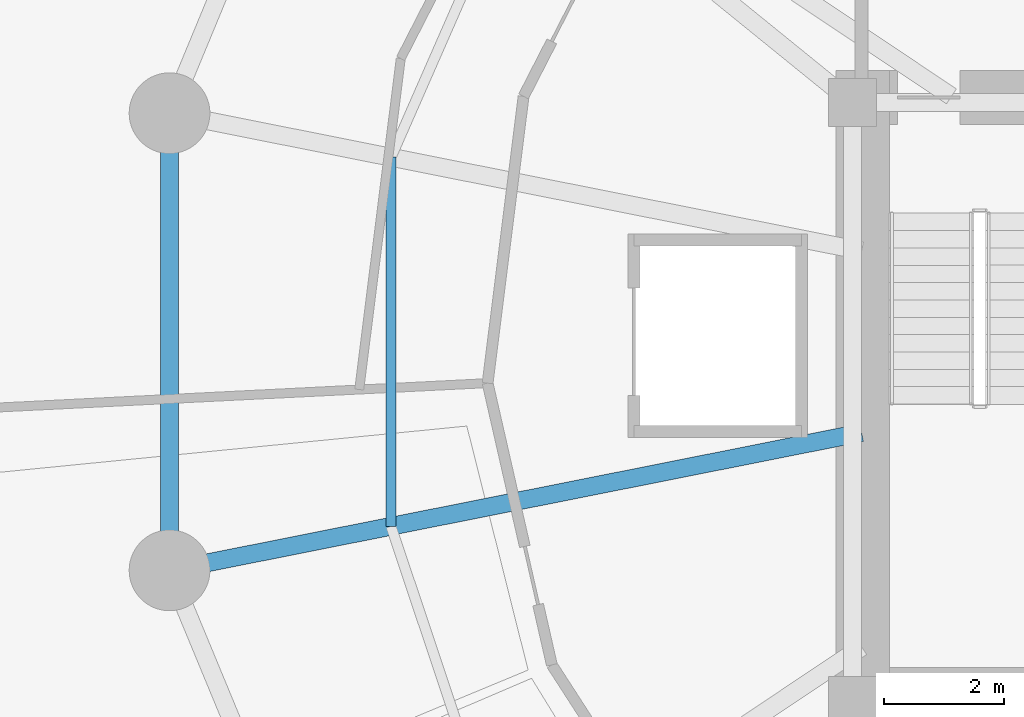
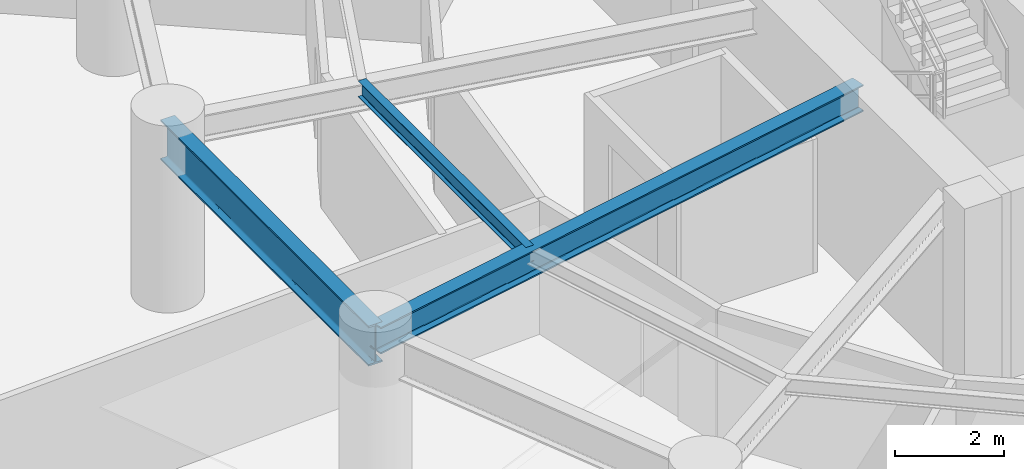
# One storey, part 5 of 16: 3 beams.
"""IFC4 building model written with IfcOpenShell, lengths in metres."""

import ifcopenshell
import ifcopenshell.guid

model = None  # the IFC model being written
_history = None  # IfcOwnerHistory: only IFC2X3 demands one
_inside = {}  # id of a spatial element -> (the spatial element, [elements in it])
_under = {}  # id of a project, library or spatial element -> (it, [spatial elements below it])
_declared = {}  # id of a project -> (the project, [libraries it declares])
_typed = {}  # id of a type object -> (the type object, [elements of that type])
_made_of = {}  # id of a material, layer set ... -> (it, [elements and type objects made of it])


def new_model(schema):
    """Start an empty IFC model of exactly this schema.

    Asked for "IFC4X3", IfcOpenShell would pick the latest addendum, in which some entities
    have other attributes; the version numbers below select the first issue.
    IFC2X3 requires an IfcOwnerHistory on every rooted entity: one is made here for all.
    """
    global model, _history
    if schema == "IFC4X3":
        model = ifcopenshell.file(schema_version=(4, 3, 0, 0))
    else:
        model = ifcopenshell.file(schema=schema)
    _inside.clear()
    _under.clear()
    _declared.clear()
    _typed.clear()
    _made_of.clear()
    _history = None
    if model.schema == "IFC2X3":
        org = make("IfcOrganization", Name="unknown")
        user = make(
            "IfcPersonAndOrganization",
            ThePerson=make("IfcPerson", FamilyName="unknown"),
            TheOrganization=org,
        )
        app = make(
            "IfcApplication",
            ApplicationDeveloper=org,
            Version="unknown",
            ApplicationFullName="unknown",
            ApplicationIdentifier="unknown",
        )
        _history = make(
            "IfcOwnerHistory",
            OwningUser=user,
            OwningApplication=app,
            ChangeAction="ADDED",
            CreationDate=0,
        )
    return model


def make(cls, **values):
    """One entity of the class cls with the attributes given. An attribute that is None is left unset."""
    return model.create_entity(
        cls, **{name: value for name, value in values.items() if value is not None}
    )


def rooted(cls, **values):
    """An entity with a GlobalId (a new one), such as an element, a storey or a relation."""
    return make(cls, GlobalId=ifcopenshell.guid.new(), OwnerHistory=_history, **values)


def si_unit(unit_type, name, prefix=None):
    """IfcSIUnit, for example si_unit("LENGTHUNIT", "METRE", prefix="MILLI")."""
    return make("IfcSIUnit", UnitType=unit_type, Prefix=prefix, Name=name)


def assignment(units):
    """IfcUnitAssignment: the units of a project."""
    return None if units is None else make("IfcUnitAssignment", Units=units)


def point(xyz):
    """IfcCartesianPoint."""
    return None if xyz is None else make("IfcCartesianPoint", Coordinates=xyz)


def direction(xyz):
    """IfcDirection."""
    return None if xyz is None else make("IfcDirection", DirectionRatios=xyz)


def frame(location, z_axis=None, x_axis=None):
    """IfcAxis2Placement3D, a coordinate frame: its origin and axes. An axis left out is left unset."""
    return make(
        "IfcAxis2Placement3D",
        Location=point(location),
        Axis=direction(z_axis),
        RefDirection=direction(x_axis),
    )


def frame_2d(location, x_axis=None):
    """IfcAxis2Placement2D, a coordinate frame in the plane: its origin and x axis."""
    return make(
        "IfcAxis2Placement2D", Location=point(location), RefDirection=direction(x_axis)
    )


def origin():
    """The frame at (0, 0, 0) with its axes left unset."""
    return frame((0.0, 0.0, 0.0))


def origin_2d():
    """The frame at (0, 0) in the plane with its x axis left unset."""
    return frame_2d((0.0, 0.0))


def place(relative_to, where):
    """IfcLocalPlacement: puts the frame where relative to a parent placement (None: the world)."""
    return make(
        "IfcLocalPlacement", PlacementRelTo=relative_to, RelativePlacement=where
    )


def context(
    kind, dimensions, precision=None, world=None, true_north=None, identifier=None
):
    """IfcGeometricRepresentationContext, for example the 3D "Model" context."""
    return make(
        "IfcGeometricRepresentationContext",
        ContextIdentifier=identifier,
        ContextType=kind,
        CoordinateSpaceDimension=dimensions,
        Precision=precision,
        WorldCoordinateSystem=world,
        TrueNorth=true_north,
    )


def subcontext(parent, identifier, kind, view, scale=None):
    """IfcGeometricRepresentationSubContext, for example "Body" below "Model"."""
    return make(
        "IfcGeometricRepresentationSubContext",
        ContextIdentifier=identifier,
        ContextType=kind,
        ParentContext=parent,
        TargetScale=scale,
        TargetView=view,
    )


def project(units=None, contexts=None):
    """IfcProject with its units and contexts."""
    return rooted(
        "IfcProject",
        Name="project",
        RepresentationContexts=contexts,
        UnitsInContext=assignment(units),
    )


def spatial(cls, under=None, at=None, **own):
    """A site, building, storey or space (cls), placed at a placement, below another one or the project."""
    s = rooted(cls, ObjectPlacement=at, **own)
    if under is not None:
        _under.setdefault(under.id(), (under, []))[1].append(s)
    return s


def profile(cls, at=None, kind="AREA", **sizes):
    """A parametric profile (cls). Its sizes go by their IFC names, for example OverallWidth=200.0."""
    return make(cls, ProfileType=kind, Position=at, **sizes)


def i_section(**sizes):
    """IfcIShapeProfileDef."""
    return profile("IfcIShapeProfileDef", **sizes)


def extrude(swept, where, along, depth):
    """IfcExtrudedAreaSolid: the profile swept, set in the frame where, extruded along a direction by depth."""
    return make(
        "IfcExtrudedAreaSolid",
        SweptArea=swept,
        Position=where,
        ExtrudedDirection=direction(along),
        Depth=depth,
    )


def shape(context_of_items, identifier, shape_type, items):
    """IfcShapeRepresentation: the items that make up one representation, for example the "Body"."""
    return make(
        "IfcShapeRepresentation",
        ContextOfItems=context_of_items,
        RepresentationIdentifier=identifier,
        RepresentationType=shape_type,
        Items=items,
    )


def material(Name=None, Category=None):
    """IfcMaterial."""
    return make("IfcMaterial", Name=Name, Category=Category)


def material_profile(
    of_material, cross_section, Name=None, Category=None, Priority=None
):
    """IfcMaterialProfile: a cross section and its material."""
    return make(
        "IfcMaterialProfile",
        Name=Name,
        Material=of_material,
        Profile=cross_section,
        Priority=Priority,
        Category=Category,
    )


def profile_set(profiles, Name=None, composite=None):
    """IfcMaterialProfileSet."""
    return make(
        "IfcMaterialProfileSet",
        Name=Name,
        MaterialProfiles=profiles,
        CompositeProfile=composite,
    )


def made_of(thing, what):
    """Note that an element or type object is made of a material, layer set ...; save() writes the relation."""
    if what is not None:
        _made_of.setdefault(what.id(), (what, []))[1].append(thing)
    return thing


def type_object(cls, material=None, **own):
    """A type object (cls), such as IfcWallType, which elements share."""
    return made_of(rooted(cls, **own), material)


def element(
    cls,
    number,
    at=None,
    inside=None,
    cuts=None,
    type_object=None,
    material=None,
    context=None,
    identifier="Body",
    shape_type=None,
    held_by="IfcProductDefinitionShape",
    body=None,
    shapes=None,
    **own,
):
    """One element of the class cls, such as IfcWall. Its Tag is "e" and its number.

    at: its placement. inside: the storey or other place that contains it. cuts: it is an
    opening in that element (IfcRelVoidsElement). A single representation is given by context,
    identifier, shape_type and body (its items); several are given by shapes. held_by: the class
    of the entity that holds the representations. save() writes the other relations.
    """
    e = rooted(cls, Tag="e%d" % number, ObjectPlacement=at, **own)
    if body is not None:
        shapes = [shape(context, identifier, shape_type, body)]
    if shapes is not None:
        e.Representation = make(held_by, Representations=shapes)
    if inside is not None:
        _inside.setdefault(inside.id(), (inside, []))[1].append(e)
    if cuts is not None:
        rooted(
            "IfcRelVoidsElement", RelatingBuildingElement=cuts, RelatedOpeningElement=e
        )
    if type_object is not None:
        _typed.setdefault(type_object.id(), (type_object, []))[1].append(e)
    return made_of(e, material)


def aggregate(whole, parts):
    """IfcRelAggregates: a whole, such as a stair, and the parts it consists of."""
    return rooted("IfcRelAggregates", RelatingObject=whole, RelatedObjects=parts)


def save(model, path):
    """Write the relations noted so far, then the file.

    IfcRelAggregates (storeys below a building ...), IfcRelContainedInSpatialStructure (elements
    in a storey), IfcRelDefinesByType, IfcRelAssociatesMaterial and IfcRelDeclares: one each for
    every whole, place, type object, material and project.
    """
    for whole, parts in _under.values():
        aggregate(whole, parts)
    for where, things in _inside.values():
        rooted(
            "IfcRelContainedInSpatialStructure",
            RelatedElements=things,
            RelatingStructure=where,
        )
    for kind, things in _typed.values():
        rooted("IfcRelDefinesByType", RelatedObjects=things, RelatingType=kind)
    for what, things in _made_of.values():
        rooted("IfcRelAssociatesMaterial", RelatedObjects=things, RelatingMaterial=what)
    for by, libraries in _declared.values():
        rooted("IfcRelDeclares", RelatingContext=by, RelatedDefinitions=libraries)
    model.write(path)


model = new_model("IFC4")

# Units and contexts
model_context = context("Model", 3, precision=1e-05, world=origin(), true_north=direction((0.0, 1.0)))
body_context = subcontext(model_context, "Body", "Model", "MODEL_VIEW")
ifc_project = project(units=[si_unit("LENGTHUNIT", "METRE"), si_unit("AREAUNIT", "SQUARE_METRE"), si_unit("VOLUMEUNIT", "CUBIC_METRE"), si_unit("PLANEANGLEUNIT", "RADIAN"), si_unit("MASSUNIT", "GRAM", prefix="KILO"), si_unit("THERMODYNAMICTEMPERATUREUNIT", "KELVIN"), si_unit("POWERUNIT", "WATT")], contexts=[model_context])

# Site, building, storey
site_placement = place(None, origin())
site = spatial("IfcSite", under=ifc_project, at=site_placement, CompositionType="ELEMENT")
building_placement = place(site_placement, origin())
building = spatial("IfcBuilding", under=site, at=building_placement, Name="Ocrelia Relay Tower", CompositionType="ELEMENT")
storey_placement = place(building_placement, frame((0.0, 0.0, 42.60009765625)))
storey = spatial("IfcBuildingStorey", under=building, at=storey_placement, Name="L09", CompositionType="ELEMENT", Elevation=42.60009765625)

# Beams
ifc_material = material(Name="Steel S355", Category="steel")
ifc_material_profile_1 = material_profile(ifc_material, i_section(OverallWidth=0.300048828125, OverallDepth=0.60009765625, WebThickness=0.015380859375, FlangeThickness=0.030029296875, FilletRadius=0.027099609375, at=origin_2d()), Name="HEB 600")
ifc_profile_set_1 = profile_set([ifc_material_profile_1], Name="Steel S355")
beam_type_1 = type_object("IfcBeamType", Name="BM-HEB600", PredefinedType="BEAM", material=ifc_profile_set_1)
beam_1_placement = place(storey_placement, frame((14.776611328125, 22.17626953125, 3.619873046875), z_axis=(0.980786938484, 0.195081986098, 0.0), x_axis=(-0.195081986098, 0.980786938484, 0.0)))
element("IfcBeam", 1, at=beam_1_placement, inside=storey, type_object=beam_type_1, Name="L09 Radial Floor Girder R09", PredefinedType="BEAM", context=body_context, shape_type="SweptSolid", body=[
    extrude(i_section(OverallWidth=0.300048828125, OverallDepth=0.60009765625, WebThickness=0.015380859375, FlangeThickness=0.030029296875, FilletRadius=0.027099609375, at=origin_2d()), origin(), (0.0, 0.0, 1.0), 11.80517578125),
])
ifc_material_profile_2 = material_profile(ifc_material, i_section(OverallWidth=0.300048828125, OverallDepth=0.89990234375, WebThickness=0.0185546875, FlangeThickness=0.034912109375, FilletRadius=0.030029296875, at=origin_2d()), Name="HEB 900")
ifc_profile_set_2 = profile_set([ifc_material_profile_2], Name="Steel S355")
beam_type_2 = type_object("IfcBeamType", Name="BM-HEB900", PredefinedType="BEAM", material=ifc_profile_set_2)
beam_2_placement = place(storey_placement, frame((14.776611328125, 29.82373046875, 3.469970703125), z_axis=(0.0, -1.0, 0.0), x_axis=(1.0, 0.0, 0.0)))
element("IfcBeam", 2, at=beam_2_placement, inside=storey, type_object=beam_type_2, Name="L09 Perimeter Spandrel Beam S08", PredefinedType="BEAM", context=body_context, shape_type="SweptSolid", body=[
    extrude(i_section(OverallWidth=0.300048828125, OverallDepth=0.89990234375, WebThickness=0.0185546875, FlangeThickness=0.034912109375, FilletRadius=0.030029296875, at=origin_2d()), origin(), (0.0, 0.0, 1.0), 7.6474609375),
])
ifc_material_profile_3 = material_profile(ifc_material, i_section(OverallWidth=0.169921875, OverallDepth=0.360107421875, WebThickness=0.008056640625, FlangeThickness=0.0126953125, FilletRadius=0.01806640625, at=origin_2d()), Name="IPE 360")
ifc_profile_set_3 = profile_set([ifc_material_profile_3], Name="Steel S355")
beam_type_3 = type_object("IfcBeamType", Name="BM-IPE360", PredefinedType="JOIST", material=ifc_profile_set_3)
beam_3_placement = place(storey_placement, frame((18.481689453125, 29.0869140625, 3.739990234375), z_axis=(0.0, -1.0, 0.0), x_axis=(1.0, 0.0, 0.0)))
element("IfcBeam", 3, at=beam_3_placement, inside=storey, type_object=beam_type_3, Name="L09 Secondary Floor Joist J08", PredefinedType="JOIST", context=body_context, shape_type="SweptSolid", body=[
    extrude(i_section(OverallWidth=0.169921875, OverallDepth=0.360107421875, WebThickness=0.008056640625, FlangeThickness=0.0126953125, FilletRadius=0.01806640625, at=origin_2d()), origin(), (0.0, 0.0, 1.0), 6.173828125),
])

save(model, "model.ifc")
